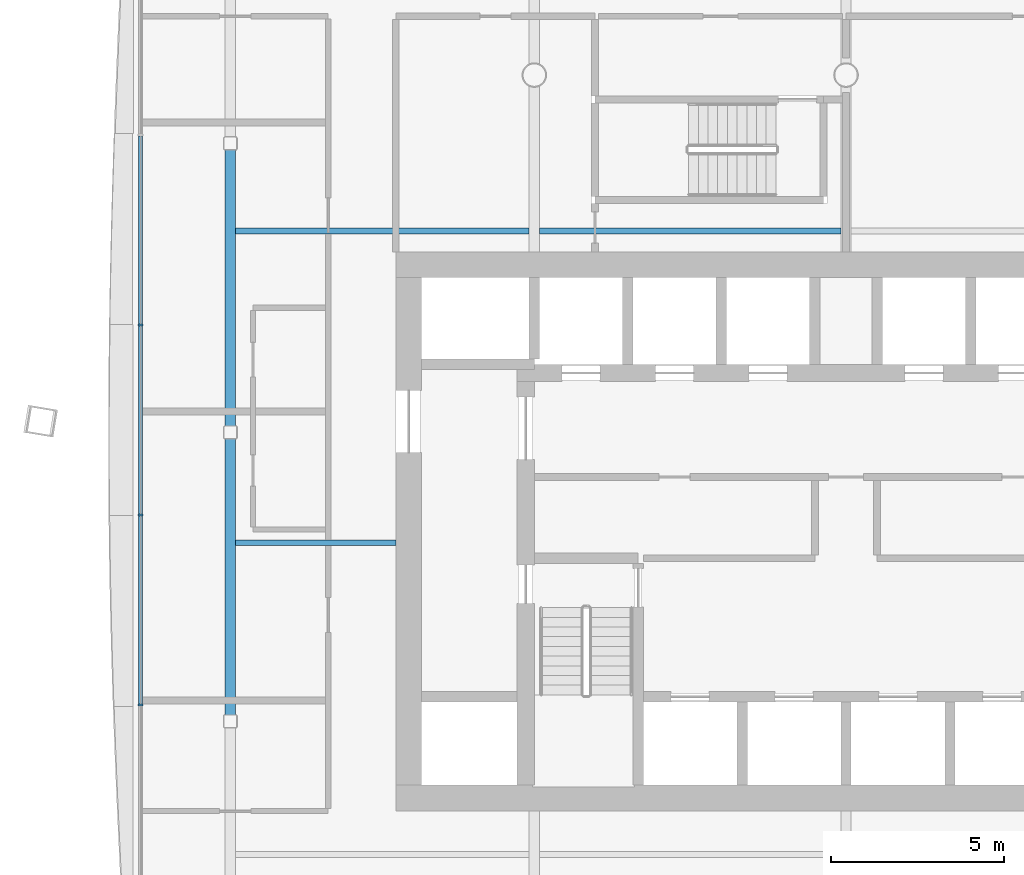
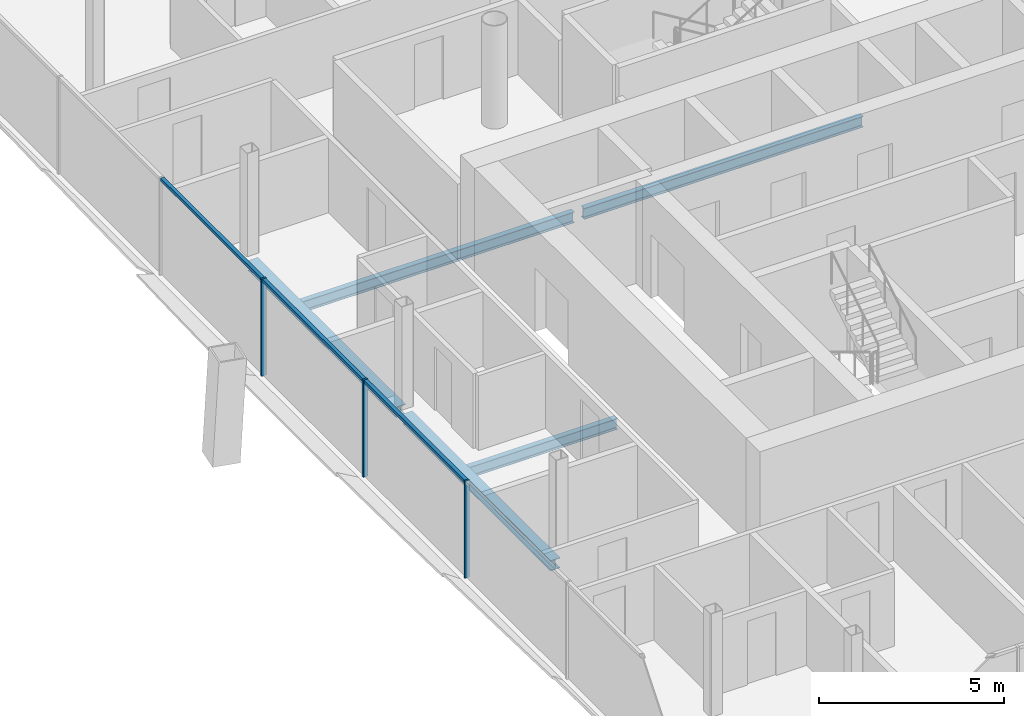
# One storey, part 6 of 22: 6 members, 5 beams, 1 element without a shape of its own.
"""IFC4 building model written with IfcOpenShell, lengths in metres."""

from ifc_helpers import new_model, si_unit, direction, frame, origin, origin_2d, place, context, subcontext, project, spatial, rectangle, i_section, extrude, material, material_profile, profile_set, type_object, element, aggregate, save


model = new_model("IFC4")

# Units and contexts
model_context = context("Model", 3, precision=1e-05, world=origin(), true_north=direction((0.0, 1.0)))
body_context = subcontext(model_context, "Body", "Model", "MODEL_VIEW")
ifc_project = project(units=[si_unit("LENGTHUNIT", "METRE"), si_unit("AREAUNIT", "SQUARE_METRE"), si_unit("VOLUMEUNIT", "CUBIC_METRE"), si_unit("PLANEANGLEUNIT", "RADIAN"), si_unit("MASSUNIT", "GRAM", prefix="KILO")], contexts=[model_context])

# Site, building, storey
site_placement = place(None, origin())
site = spatial("IfcSite", under=ifc_project, at=site_placement, CompositionType="ELEMENT")
building_placement = place(site_placement, origin())
building = spatial("IfcBuilding", under=site, at=building_placement, Name="Tskaro Facet Tower", CompositionType="ELEMENT")
storey_placement = place(building_placement, frame((0.0, 0.0, 124.89990234375)))
storey = spatial("IfcBuildingStorey", under=building, at=storey_placement, Name="L29", CompositionType="ELEMENT", Elevation=124.89990234375)

# Curtain wall, members
ifc_material_1 = material(Name="Bronze anodised aluminium 6063-T6", Category="aluminium")
curtain_wall_type = type_object("IfcCurtainWallType", Name="Bronze hotel curtain wall (FW2)", PredefinedType="NOTDEFINED", material=ifc_material_1)
curtain_wall_placement = place(storey_placement, origin())
curtain_wall = element("IfcCurtainWall", 1, at=curtain_wall_placement, inside=storey, type_object=curtain_wall_type, Name="FW2 west facet L29", PredefinedType="NOTDEFINED")
ifc_material_profile_1 = material_profile(ifc_material_1, rectangle(XDim=0.06005859375, YDim=0.14990234375, at=origin_2d()), Name="Mullion 60x150")
ifc_profile_set_1 = profile_set([ifc_material_profile_1], Name="Bronze anodised aluminium 6063-T6")
member_type_1 = type_object("IfcMemberType", Name="FW2 bronze mullion 60x150", PredefinedType="MULLION", material=ifc_profile_set_1)
member_1_placement = place(storey_placement, frame((-20.366943359375, 1.78759765625, 0.0), z_axis=(0.0, 0.0, 1.0), x_axis=(0.0, -1.0, 0.0)))
member_1 = element("IfcMember", 2, at=member_1_placement, type_object=member_type_1, Name="FW2 west mullion 3", PredefinedType="MULLION", context=body_context, shape_type="SweptSolid", body=[
    extrude(rectangle(XDim=0.06005859375, YDim=0.14990234375, at=origin_2d()), origin(), (0.0, 0.0, 1.0), 3.2001953125),
])
member_2_placement = place(storey_placement, frame((-20.366943359375, -3.70068359375, 0.0), z_axis=(0.0, 0.0, 1.0), x_axis=(0.0, -1.0, 0.0)))
member_2 = element("IfcMember", 3, at=member_2_placement, type_object=member_type_1, Name="FW2 west mullion 4", PredefinedType="MULLION", context=body_context, shape_type="SweptSolid", body=[
    extrude(rectangle(XDim=0.06005859375, YDim=0.14990234375, at=origin_2d()), origin(), (0.0, 0.0, 1.0), 3.2001953125),
])
member_3_placement = place(storey_placement, frame((-20.366943359375, -9.189208984375, 0.0), z_axis=(0.0, 0.0, 1.0), x_axis=(0.0, -1.0, 0.0)))
member_3 = element("IfcMember", 4, at=member_3_placement, type_object=member_type_1, Name="FW2 west mullion 5", PredefinedType="MULLION", context=body_context, shape_type="SweptSolid", body=[
    extrude(rectangle(XDim=0.06005859375, YDim=0.14990234375, at=origin_2d()), origin(), (0.0, 0.0, 1.0), 3.2001953125),
])
ifc_material_profile_2 = material_profile(ifc_material_1, rectangle(XDim=0.110107421875, YDim=0.10009765625, at=origin_2d()), Name="Transom 110x100")
ifc_profile_set_2 = profile_set([ifc_material_profile_2], Name="Bronze anodised aluminium 6063-T6")
member_type_2 = type_object("IfcMemberType", Name="FW2 bronze transom 110x100", PredefinedType="USERDEFINED", material=ifc_profile_set_2)
member_4_placement = place(storey_placement, frame((-20.366943359375, 7.24609375, 3.150146484375), z_axis=(0.0, -1.0, 0.0), x_axis=(1.0, 0.0, 0.0)))
member_4 = element("IfcMember", 5, at=member_4_placement, type_object=member_type_2, Name="FW2 west transom 3.1", ObjectType="TRANSOM", PredefinedType="USERDEFINED", context=body_context, shape_type="SweptSolid", body=[
    extrude(rectangle(XDim=0.110107421875, YDim=0.10009765625, at=origin_2d()), origin(), (0.0, 0.0, 1.0), 5.428466796875),
])
member_5_placement = place(storey_placement, frame((-20.366943359375, 1.7578125, 3.150146484375), z_axis=(0.0, -1.0, 0.0), x_axis=(1.0, 0.0, 0.0)))
member_5 = element("IfcMember", 6, at=member_5_placement, type_object=member_type_2, Name="FW2 west transom 4.1", ObjectType="TRANSOM", PredefinedType="USERDEFINED", context=body_context, shape_type="SweptSolid", body=[
    extrude(rectangle(XDim=0.110107421875, YDim=0.10009765625, at=origin_2d()), origin(), (0.0, 0.0, 1.0), 5.428466796875),
])
member_6_placement = place(storey_placement, frame((-20.366943359375, -3.730712890625, 3.150146484375), z_axis=(0.0, -1.0, 0.0), x_axis=(1.0, 0.0, 0.0)))
member_6 = element("IfcMember", 7, at=member_6_placement, type_object=member_type_2, Name="FW2 west transom 5.1", ObjectType="TRANSOM", PredefinedType="USERDEFINED", context=body_context, shape_type="SweptSolid", body=[
    extrude(rectangle(XDim=0.110107421875, YDim=0.10009765625, at=origin_2d()), origin(), (0.0, 0.0, 1.0), 5.428466796875),
])
aggregate(curtain_wall, [member_1, member_2, member_3, member_4, member_5, member_6])

# Beams
ifc_material_2 = material(Name="Steel S355J2", Category="steel")
ifc_material_profile_3 = material_profile(ifc_material_2, i_section(OverallWidth=0.300048828125, OverallDepth=0.340087890625, WebThickness=0.011962890625, FlangeThickness=0.021484375, FilletRadius=0.027099609375, at=origin_2d()), Name="HE 340 B")
ifc_profile_set_3 = profile_set([ifc_material_profile_3], Name="Steel S355J2")
beam_type_1 = type_object("IfcBeamType", Name="HE 340 B ring beam", PredefinedType="BEAM", material=ifc_profile_set_3)
beam_1_placement = place(storey_placement, frame((-17.77392578125, 6.845947265625, -0.309814453125), z_axis=(0.0, -1.0, 0.0), x_axis=(1.0, 0.0, 0.0)))
element("IfcBeam", 8, at=beam_1_placement, inside=storey, type_object=beam_type_1, Name="HE 340 B EB17-3", PredefinedType="BEAM", context=body_context, shape_type="SweptSolid", body=[
    extrude(i_section(OverallWidth=0.300048828125, OverallDepth=0.340087890625, WebThickness=0.011962890625, FlangeThickness=0.021484375, FilletRadius=0.027099609375, at=origin_2d()), origin(), (0.0, 0.0, 1.0), 7.98095703125),
])
beam_2_placement = place(storey_placement, frame((-17.77392578125, -1.4951171875, -0.309814453125), z_axis=(0.0, -1.0, 0.0), x_axis=(1.0, 0.0, 0.0)))
element("IfcBeam", 9, at=beam_2_placement, inside=storey, type_object=beam_type_1, Name="HE 340 B EB18-3", PredefinedType="BEAM", context=body_context, shape_type="SweptSolid", body=[
    extrude(i_section(OverallWidth=0.300048828125, OverallDepth=0.340087890625, WebThickness=0.011962890625, FlangeThickness=0.021484375, FilletRadius=0.027099609375, at=origin_2d()), origin(), (0.0, 0.0, 1.0), 7.98193359375),
])
ifc_material_profile_4 = material_profile(ifc_material_2, i_section(OverallWidth=0.169921875, OverallDepth=0.360107421875, WebThickness=0.008056640625, FlangeThickness=0.0126953125, FilletRadius=0.01806640625, at=origin_2d()), Name="IPE 360")
ifc_profile_set_4 = profile_set([ifc_material_profile_4], Name="Steel S355J2")
beam_type_2 = type_object("IfcBeamType", Name="IPE 360 secondary beam", PredefinedType="BEAM", material=ifc_profile_set_4)
beam_3_placement = place(storey_placement, frame((-17.6240234375, -4.5, -0.31982421875), z_axis=(1.0, 0.0, 0.0), x_axis=(0.0, 1.0, 0.0)))
element("IfcBeam", 10, at=beam_3_placement, inside=storey, type_object=beam_type_2, Name="IPE 360 SB3a-1-3", PredefinedType="BEAM", context=body_context, shape_type="SweptSolid", body=[
    extrude(i_section(OverallWidth=0.169921875, OverallDepth=0.360107421875, WebThickness=0.008056640625, FlangeThickness=0.0126953125, FilletRadius=0.01806640625, at=origin_2d()), origin(), (0.0, 0.0, 1.0), 4.6240234375),
])
beam_4_placement = place(storey_placement, frame((-17.6240234375, 4.5, -0.31982421875), z_axis=(1.0, 0.0, 0.0), x_axis=(0.0, 1.0, 0.0)))
element("IfcBeam", 11, at=beam_4_placement, inside=storey, type_object=beam_type_2, Name="IPE 360 SB4a-1-3", PredefinedType="BEAM", context=body_context, shape_type="SweptSolid", body=[
    extrude(i_section(OverallWidth=0.169921875, OverallDepth=0.360107421875, WebThickness=0.008056640625, FlangeThickness=0.0126953125, FilletRadius=0.01806640625, at=origin_2d()), origin(), (0.0, 0.0, 1.0), 8.47412109375),
])
beam_5_placement = place(storey_placement, frame((-8.85009765625, 4.5, -0.31982421875), z_axis=(1.0, 0.0, 0.0), x_axis=(0.0, 1.0, 0.0)))
element("IfcBeam", 12, at=beam_5_placement, inside=storey, type_object=beam_type_2, Name="IPE 360 SB4a-2-3", PredefinedType="BEAM", context=body_context, shape_type="SweptSolid", body=[
    extrude(i_section(OverallWidth=0.169921875, OverallDepth=0.360107421875, WebThickness=0.008056640625, FlangeThickness=0.0126953125, FilletRadius=0.01806640625, at=origin_2d()), origin(), (0.0, 0.0, 1.0), 8.7001953125),
])

save(model, "model.ifc")
